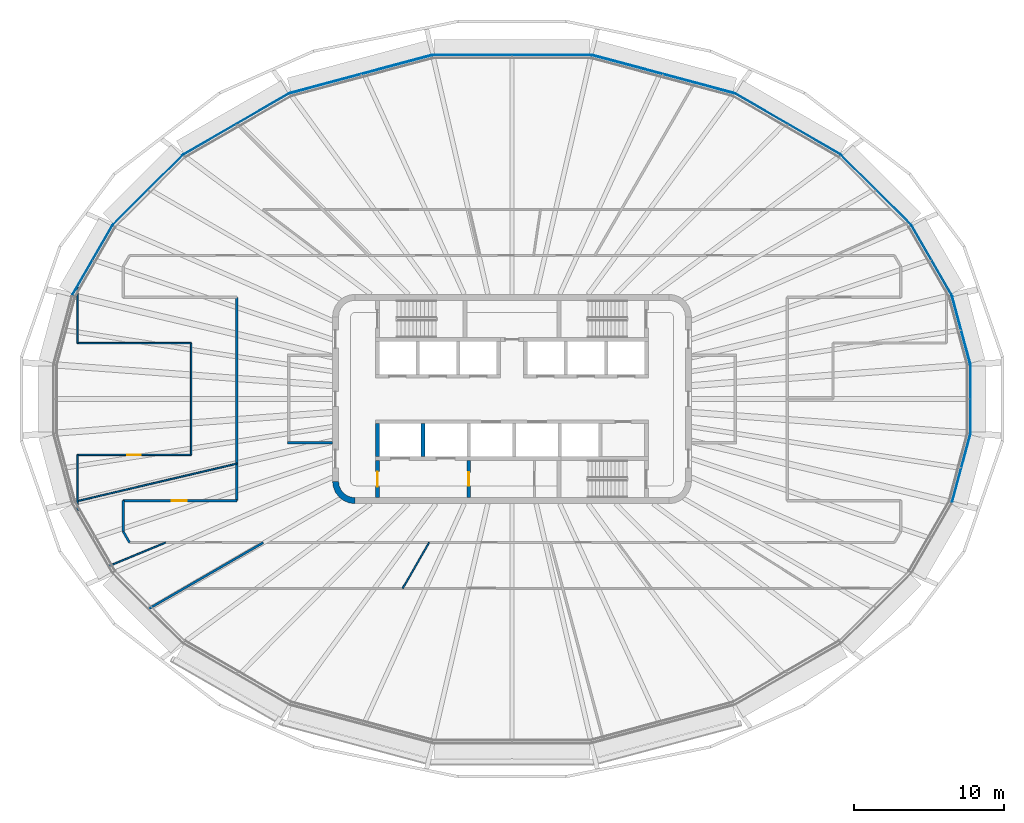
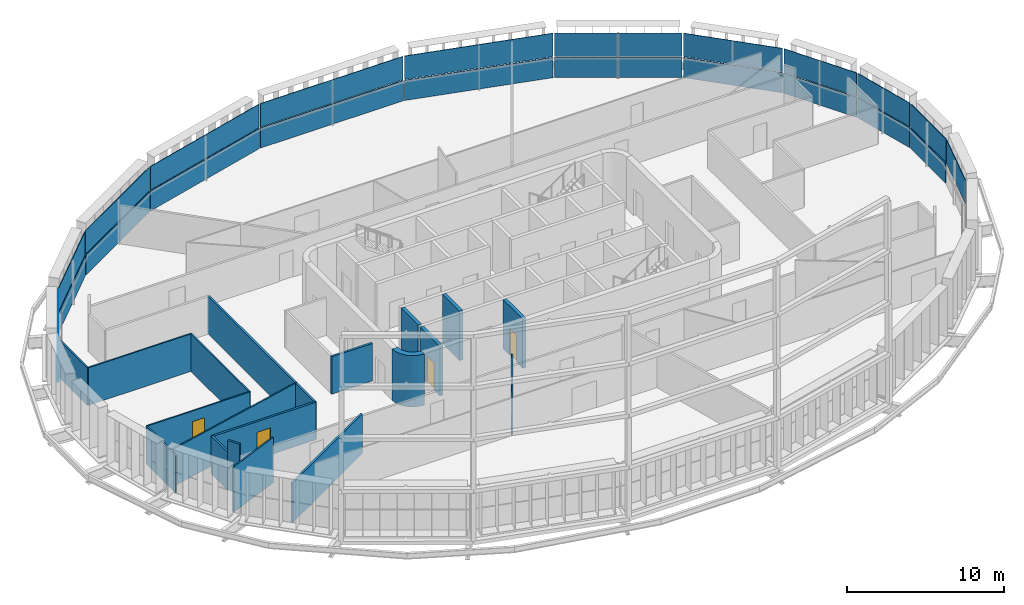
# One storey, part 10 of 20: 23 plates, 19 walls, 4 doors, 4 openings, 12 elements without a shape of their own.
"""IFC4 building model written with IfcOpenShell, lengths in metres."""

from ifc_helpers import new_model, si_unit, direction, frame, frame_2d, origin, place, context, subcontext, project, spatial, polyline, rectangle, outline, extrude, material, layer, layer_set, type_object, element, fill, aggregate, save


model = new_model("IFC4")

# Units and contexts
model_context = context("Model", 3, precision=1e-05, world=origin(), true_north=direction((0.0, 1.0)))
body_context = subcontext(model_context, "Body", "Model", "MODEL_VIEW")
ifc_project = project(units=[si_unit("LENGTHUNIT", "METRE"), si_unit("AREAUNIT", "SQUARE_METRE"), si_unit("VOLUMEUNIT", "CUBIC_METRE"), si_unit("PLANEANGLEUNIT", "RADIAN"), si_unit("MASSUNIT", "GRAM", prefix="KILO")], contexts=[model_context])

# Site, building, storey
site_placement = place(None, origin())
site = spatial("IfcSite", under=ifc_project, at=site_placement, CompositionType="ELEMENT")
building_placement = place(site_placement, origin())
building = spatial("IfcBuilding", under=site, at=building_placement, Name="Sahrelin Media Tower", CompositionType="ELEMENT")
storey_placement = place(building_placement, frame((0.0, 0.0, 209.60009765625)))
storey = spatial("IfcBuildingStorey", under=building, at=storey_placement, Name="L44", CompositionType="ELEMENT", Elevation=209.60009765625)

# Curtain wall, plate
ifc_material_1 = material(Name="Champagne anodised aluminium 6063-T6", Category="aluminium")
ifc_layer_1 = layer(ifc_material_1, 0.14990234375)
ifc_layer_set_1 = layer_set([ifc_layer_1], Name="Tower ribbon curtain wall")
curtain_wall_type = type_object("IfcCurtainWallType", Name="Tower ribbon curtain wall", PredefinedType="NOTDEFINED", material=ifc_layer_set_1)
curtain_wall_1_placement = place(storey_placement, frame((30.665283203125, 0.0, 0.0), z_axis=(0.0, 0.0, 1.0), x_axis=(1.0, 0.0, 0.0)))
curtain_wall_1 = element("IfcCurtainWall", 1, at=curtain_wall_1_placement, inside=storey, type_object=curtain_wall_type, Name="L44:CW:L44-00", PredefinedType="NOTDEFINED")
ifc_material_2 = material(Name="Clear low-iron glazing", Category="glass")
ifc_layer_2 = layer(ifc_material_2, 0.0439453125)
ifc_layer_set_2 = layer_set([ifc_layer_2], Name="Glazing panel 44 mm CW1B")
plate_type_1 = type_object("IfcPlateType", Name="Glazing panel 44 mm CW1B", PredefinedType="CURTAIN_PANEL", material=ifc_layer_set_2)
plate_1_placement = place(storey_placement, frame((30.685302734375, -2.241455078125, 1.6298828125), z_axis=(1.0, 0.0, 0.0), x_axis=(0.0, 1.0, 0.0)))
plate_1 = element("IfcPlate", 2, at=plate_1_placement, type_object=plate_type_1, Name="L44:CWP2:L44-00", PredefinedType="CURTAIN_PANEL", context=body_context, shape_type="SweptSolid", body=[
    extrude(outline(polyline([(0.0, 0.0), (4.48291015625, 0.0), (4.48291015625, 1.818603515625), (0.0, 1.818603515625), (0.0, 0.0)])), origin(), (0.0, 0.0, -1.0), 0.0439453125),
])

curtain_wall_2_placement = place(storey_placement, frame((30.045166015625, 4.606201171875, 0.0), z_axis=(0.0, 0.0, 1.0), x_axis=(1.0, 0.0, 0.0)))
curtain_wall_2 = element("IfcCurtainWall", 3, at=curtain_wall_2_placement, inside=storey, type_object=curtain_wall_type, Name="L44:CW:L44-01", PredefinedType="NOTDEFINED")
plate_2_placement = place(storey_placement, frame((30.671630859375, 2.344970703125, 1.6298828125), z_axis=(0.965935511849, 0.258782895397, 0.0), x_axis=(-0.258782895397, 0.965935511849, 0.0)))
plate_2 = element("IfcPlate", 4, at=plate_2_placement, type_object=plate_type_1, Name="L44:CWP2:L44-01", PredefinedType="CURTAIN_PANEL", context=body_context, shape_type="SweptSolid", body=[
    extrude(outline(polyline([(0.0, 0.0), (4.692626953125, 0.0), (4.692626953125, 1.818603515625), (0.0, 1.818603515625), (0.0, 0.0)])), origin(), (0.0, 0.0, -1.0), 0.0439453125),
])

curtain_wall_3_placement = place(storey_placement, frame((28.0615234375, 9.281982421875, 0.0), z_axis=(0.0, 0.0, 1.0), x_axis=(1.0, 0.0, 0.0)))
curtain_wall_3 = element("IfcCurtainWall", 5, at=curtain_wall_3_placement, inside=storey, type_object=curtain_wall_type, Name="L44:CW:L44-02", PredefinedType="NOTDEFINED")
plate_3_placement = place(storey_placement, frame((29.417236328125, 6.97412109375, 1.6298828125), z_axis=(0.866011664043, 0.500023797175, 0.0), x_axis=(-0.500023797175, 0.866011664043, 0.0)))
plate_3 = element("IfcPlate", 6, at=plate_3_placement, type_object=plate_type_1, Name="L44:CWP2:L44-02", PredefinedType="CURTAIN_PANEL", context=body_context, shape_type="SweptSolid", body=[
    extrude(outline(polyline([(0.0, 0.0), (5.353271484375, 0.0), (5.353271484375, 1.818603515625), (0.0, 1.818603515625), (0.0, 0.0)])), origin(), (0.0, 0.0, -1.0), 0.0439453125),
])

curtain_wall_4_placement = place(storey_placement, frame((24.356201171875, 13.985595703125, 0.0), z_axis=(0.0, 0.0, 1.0), x_axis=(1.0, 0.0, 0.0)))
curtain_wall_4 = element("IfcCurtainWall", 7, at=curtain_wall_4_placement, inside=storey, type_object=curtain_wall_type, Name="L44:CW:L44-03", PredefinedType="NOTDEFINED")
plate_4_placement = place(storey_placement, frame((26.677001953125, 11.69287109375, 1.6298828125), z_axis=(0.707125489942, 0.707088071936, 0.0), x_axis=(-0.707088071936, 0.707125489942, 0.0)))
plate_4 = element("IfcPlate", 8, at=plate_4_placement, type_object=plate_type_1, Name="L44:CWP2:L44-03", PredefinedType="CURTAIN_PANEL", context=body_context, shape_type="SweptSolid", body=[
    extrude(outline(polyline([(0.0, 0.0), (6.524658203125, 0.0), (6.524658203125, 1.818603515625), (0.0, 1.818603515625), (0.0, 0.0)])), origin(), (0.0, 0.0, -1.0), 0.0439453125),
])

curtain_wall_5_placement = place(storey_placement, frame((18.439208984375, 18.3916015625, 0.0), z_axis=(0.0, 0.0, 1.0), x_axis=(1.0, 0.0, 0.0)))
curtain_wall_5 = element("IfcCurtainWall", 9, at=curtain_wall_5_placement, inside=storey, type_object=curtain_wall_type, Name="L44:CW:L44-04", PredefinedType="NOTDEFINED")
plate_5_placement = place(storey_placement, frame((21.980712890625, 16.3701171875, 1.6298828125), z_axis=(0.500005763519, 0.86602207619, 0.0), x_axis=(-0.86602207619, 0.500005763519, 0.0)))
plate_5 = element("IfcPlate", 10, at=plate_5_placement, type_object=plate_type_1, Name="L44:CWP2:L44-04", PredefinedType="CURTAIN_PANEL", context=body_context, shape_type="SweptSolid", body=[
    extrude(outline(polyline([(0.0, 0.0), (8.15576171875, 0.0), (8.15576171875, 1.818603515625), (0.0, 1.818603515625), (0.0, 0.0)])), origin(), (0.0, 0.0, -1.0), 0.0439453125),
])

curtain_wall_6_placement = place(storey_placement, frame((10.087158203125, 21.735595703125, 0.0), z_axis=(0.0, 0.0, 1.0), x_axis=(1.0, 0.0, 0.0)))
curtain_wall_6 = element("IfcCurtainWall", 11, at=curtain_wall_6_placement, inside=storey, type_object=curtain_wall_type, Name="L44:CW:L44-05", PredefinedType="NOTDEFINED")
plate_6_placement = place(storey_placement, frame((14.8212890625, 20.48779296875, 1.6298828125), z_axis=(0.258834126275, 0.965921785175, 0.0), x_axis=(-0.965921785175, 0.258834126275, 0.0)))
plate_6 = element("IfcPlate", 12, at=plate_6_placement, type_object=plate_type_1, Name="L44:CWP2:L44-05", PredefinedType="CURTAIN_PANEL", context=body_context, shape_type="SweptSolid", body=[
    extrude(outline(polyline([(0.0, 0.0), (9.791748046875, 0.0), (9.791748046875, 1.818603515625), (0.0, 1.818603515625), (0.0, 0.0)])), origin(), (0.0, 0.0, -1.0), 0.0439453125),
])

curtain_wall_7_placement = place(storey_placement, frame((0.0, 23.015625, 0.0), z_axis=(0.0, 0.0, 1.0), x_axis=(1.0, 0.0, 0.0)))
curtain_wall_7 = element("IfcCurtainWall", 13, at=curtain_wall_7_placement, inside=storey, type_object=curtain_wall_type, Name="L44:CW:L44-06", PredefinedType="NOTDEFINED")
plate_7_placement = place(storey_placement, frame((5.259765625, 23.03564453125, 1.6298828125), z_axis=(0.0, 1.0, 0.0), x_axis=(-1.0, 0.0, 0.0)))
plate_7 = element("IfcPlate", 14, at=plate_7_placement, type_object=plate_type_1, Name="L44:CWP2:L44-06", PredefinedType="CURTAIN_PANEL", context=body_context, shape_type="SweptSolid", body=[
    extrude(outline(polyline([(0.0, 0.0), (10.51953125, 0.0), (10.51953125, 1.818603515625), (0.0, 1.818603515625), (0.0, 0.0)])), origin(), (0.0, 0.0, -1.0), 0.0439453125),
])

curtain_wall_8_placement = place(storey_placement, frame((-10.0869140625, 21.735595703125, 0.0), z_axis=(0.0, 0.0, 1.0), x_axis=(1.0, 0.0, 0.0)))
curtain_wall_8 = element("IfcCurtainWall", 15, at=curtain_wall_8_placement, inside=storey, type_object=curtain_wall_type, Name="L44:CW:L44-07", PredefinedType="NOTDEFINED")
plate_8_placement = place(storey_placement, frame((-5.36328125, 23.022216796875, 1.6298828125), z_axis=(-0.258834126275, 0.965921785175, 0.0), x_axis=(-0.965921785175, -0.258834126275, 0.0)))
plate_8 = element("IfcPlate", 16, at=plate_8_placement, type_object=plate_type_1, Name="L44:CWP2:L44-07", PredefinedType="CURTAIN_PANEL", context=body_context, shape_type="SweptSolid", body=[
    extrude(outline(polyline([(0.0, 0.0), (9.791748046875, 0.0), (9.791748046875, 1.818603515625), (0.0, 1.818603515625), (0.0, 0.0)])), origin(), (0.0, 0.0, -1.0), 0.0439453125),
])

curtain_wall_9_placement = place(storey_placement, frame((-18.439208984375, 18.3916015625, 0.0), z_axis=(0.0, 0.0, 1.0), x_axis=(1.0, 0.0, 0.0)))
curtain_wall_9 = element("IfcCurtainWall", 17, at=curtain_wall_9_placement, inside=storey, type_object=curtain_wall_type, Name="L44:CW:L44-08", PredefinedType="NOTDEFINED")
plate_9_placement = place(storey_placement, frame((-14.917724609375, 20.447998046875, 1.6298828125), z_axis=(-0.500005763519, 0.86602207619, 0.0), x_axis=(-0.86602207619, -0.500005763519, 0.0)))
plate_9 = element("IfcPlate", 18, at=plate_9_placement, type_object=plate_type_1, Name="L44:CWP2:L44-08", PredefinedType="CURTAIN_PANEL", context=body_context, shape_type="SweptSolid", body=[
    extrude(outline(polyline([(0.0, 0.0), (8.15576171875, 0.0), (8.15576171875, 1.818603515625), (0.0, 1.818603515625), (0.0, 0.0)])), origin(), (0.0, 0.0, -1.0), 0.0439453125),
])

curtain_wall_10_placement = place(storey_placement, frame((-24.356201171875, 13.985595703125, 0.0), z_axis=(0.0, 0.0, 1.0), x_axis=(1.0, 0.0, 0.0)))
curtain_wall_10 = element("IfcCurtainWall", 19, at=curtain_wall_10_placement, inside=storey, type_object=curtain_wall_type, Name="L44:CW:L44-09", PredefinedType="NOTDEFINED")
plate_10_placement = place(storey_placement, frame((-22.0634765625, 16.306640625, 1.6298828125), z_axis=(-0.707125489942, 0.707088071936, 0.0), x_axis=(-0.707088071936, -0.707125489942, 0.0)))
plate_10 = element("IfcPlate", 20, at=plate_10_placement, type_object=plate_type_1, Name="L44:CWP2:L44-09", PredefinedType="CURTAIN_PANEL", context=body_context, shape_type="SweptSolid", body=[
    extrude(outline(polyline([(0.0, 0.0), (6.524658203125, 0.0), (6.524658203125, 1.818603515625), (0.0, 1.818603515625), (0.0, 0.0)])), origin(), (0.0, 0.0, -1.0), 0.0439453125),
])

curtain_wall_11_placement = place(storey_placement, frame((-28.0615234375, 9.281982421875, 0.0), z_axis=(0.0, 0.0, 1.0), x_axis=(1.0, 0.0, 0.0)))
curtain_wall_11 = element("IfcCurtainWall", 21, at=curtain_wall_11_placement, inside=storey, type_object=curtain_wall_type, Name="L44:CW:L44-10", PredefinedType="NOTDEFINED")
plate_11_placement = place(storey_placement, frame((-26.740478515625, 11.610107421875, 1.6298828125), z_axis=(-0.866011664043, 0.500023797175, 0.0), x_axis=(-0.500023797175, -0.866011664043, 0.0)))
plate_11 = element("IfcPlate", 22, at=plate_11_placement, type_object=plate_type_1, Name="L44:CWP2:L44-10", PredefinedType="CURTAIN_PANEL", context=body_context, shape_type="SweptSolid", body=[
    extrude(outline(polyline([(0.0, 0.0), (5.353271484375, 0.0), (5.353271484375, 1.818603515625), (0.0, 1.818603515625), (0.0, 0.0)])), origin(), (0.0, 0.0, -1.0), 0.0439453125),
])

curtain_wall_12_placement = place(storey_placement, frame((30.045166015625, -4.606201171875, 0.0), z_axis=(0.0, 0.0, 1.0), x_axis=(1.0, 0.0, 0.0)))
curtain_wall_12 = element("IfcCurtainWall", 23, at=curtain_wall_12_placement, inside=storey, type_object=curtain_wall_type, Name="L44:CW:L44-23", PredefinedType="NOTDEFINED")
plate_12_placement = place(storey_placement, frame((29.457275390625, -6.877685546875, 1.6298828125), z_axis=(0.965935511849, -0.258782895397, 0.0), x_axis=(0.258782895397, 0.965935511849, 0.0)))
plate_12 = element("IfcPlate", 24, at=plate_12_placement, type_object=plate_type_1, Name="L44:CWP2:L44-23", PredefinedType="CURTAIN_PANEL", context=body_context, shape_type="SweptSolid", body=[
    extrude(outline(polyline([(0.0, 0.0), (4.692626953125, 0.0), (4.692626953125, 1.818603515625), (0.0, 1.818603515625), (0.0, 0.0)])), origin(), (0.0, 0.0, -1.0), 0.0439453125),
])
aggregate(curtain_wall_12, [plate_12])

# Plate
ifc_material_3 = material(Name="Insulated spandrel panel")
ifc_layer_3 = layer(ifc_material_3, 0.06005859375)
ifc_layer_set_3 = layer_set([ifc_layer_3], Name="Spandrel panel 60 mm CW1")
plate_type_2 = type_object("IfcPlateType", Name="Spandrel panel 60 mm CW1", PredefinedType="SHEET", material=ifc_layer_set_3)
plate_13_placement = place(storey_placement, frame((30.685302734375, -2.241455078125, 0.0), z_axis=(1.0, 0.0, 0.0), x_axis=(0.0, 1.0, 0.0)))
plate_13 = element("IfcPlate", 25, at=plate_13_placement, type_object=plate_type_2, Name="L44:CWP1:L44-00", PredefinedType="SHEET", context=body_context, shape_type="SweptSolid", body=[
    extrude(outline(polyline([(0.0, 0.0), (4.48291015625, 0.0), (4.48291015625, 1.56982421875), (0.0, 1.56982421875), (0.0, 0.0)])), origin(), (0.0, 0.0, -1.0), 0.06005859375),
])

aggregate(curtain_wall_1, [plate_13, plate_1])

plate_14_placement = place(storey_placement, frame((30.671630859375, 2.344970703125, 0.0), z_axis=(0.965935511849, 0.258782895397, 0.0), x_axis=(-0.258782895397, 0.965935511849, 0.0)))
plate_14 = element("IfcPlate", 26, at=plate_14_placement, type_object=plate_type_2, Name="L44:CWP1:L44-01", PredefinedType="SHEET", context=body_context, shape_type="SweptSolid", body=[
    extrude(outline(polyline([(0.0, 0.0), (4.692626953125, 0.0), (4.692626953125, 1.56982421875), (0.0, 1.56982421875), (0.0, 0.0)])), origin(), (0.0, 0.0, -1.0), 0.06005859375),
])

aggregate(curtain_wall_2, [plate_14, plate_2])

plate_15_placement = place(storey_placement, frame((29.417236328125, 6.97412109375, 0.0), z_axis=(0.866011664043, 0.500023797175, 0.0), x_axis=(-0.500023797175, 0.866011664043, 0.0)))
plate_15 = element("IfcPlate", 27, at=plate_15_placement, type_object=plate_type_2, Name="L44:CWP1:L44-02", PredefinedType="SHEET", context=body_context, shape_type="SweptSolid", body=[
    extrude(outline(polyline([(0.0, 0.0), (5.353271484375, 0.0), (5.353271484375, 1.56982421875), (0.0, 1.56982421875), (0.0, 0.0)])), origin(), (0.0, 0.0, -1.0), 0.06005859375),
])

aggregate(curtain_wall_3, [plate_15, plate_3])

plate_16_placement = place(storey_placement, frame((26.677001953125, 11.69287109375, 0.0), z_axis=(0.707125489942, 0.707088071936, 0.0), x_axis=(-0.707088071936, 0.707125489942, 0.0)))
plate_16 = element("IfcPlate", 28, at=plate_16_placement, type_object=plate_type_2, Name="L44:CWP1:L44-03", PredefinedType="SHEET", context=body_context, shape_type="SweptSolid", body=[
    extrude(outline(polyline([(0.0, 0.0), (6.524658203125, 0.0), (6.524658203125, 1.56982421875), (0.0, 1.56982421875), (0.0, 0.0)])), origin(), (0.0, 0.0, -1.0), 0.06005859375),
])

aggregate(curtain_wall_4, [plate_16, plate_4])

plate_17_placement = place(storey_placement, frame((21.980712890625, 16.3701171875, 0.0), z_axis=(0.500005763519, 0.86602207619, 0.0), x_axis=(-0.86602207619, 0.500005763519, 0.0)))
plate_17 = element("IfcPlate", 29, at=plate_17_placement, type_object=plate_type_2, Name="L44:CWP1:L44-04", PredefinedType="SHEET", context=body_context, shape_type="SweptSolid", body=[
    extrude(outline(polyline([(0.0, 0.0), (8.15576171875, 0.0), (8.15576171875, 1.56982421875), (0.0, 1.56982421875), (0.0, 0.0)])), origin(), (0.0, 0.0, -1.0), 0.06005859375),
])

aggregate(curtain_wall_5, [plate_17, plate_5])

plate_18_placement = place(storey_placement, frame((14.8212890625, 20.48779296875, 0.0), z_axis=(0.258834126275, 0.965921785175, 0.0), x_axis=(-0.965921785175, 0.258834126275, 0.0)))
plate_18 = element("IfcPlate", 30, at=plate_18_placement, type_object=plate_type_2, Name="L44:CWP1:L44-05", PredefinedType="SHEET", context=body_context, shape_type="SweptSolid", body=[
    extrude(outline(polyline([(0.0, 0.0), (9.791748046875, 0.0), (9.791748046875, 1.56982421875), (0.0, 1.56982421875), (0.0, 0.0)])), origin(), (0.0, 0.0, -1.0), 0.06005859375),
])

aggregate(curtain_wall_6, [plate_18, plate_6])

plate_19_placement = place(storey_placement, frame((5.259765625, 23.03564453125, 0.0), z_axis=(0.0, 1.0, 0.0), x_axis=(-1.0, 0.0, 0.0)))
plate_19 = element("IfcPlate", 31, at=plate_19_placement, type_object=plate_type_2, Name="L44:CWP1:L44-06", PredefinedType="SHEET", context=body_context, shape_type="SweptSolid", body=[
    extrude(outline(polyline([(0.0, 0.0), (10.51953125, 0.0), (10.51953125, 1.56982421875), (0.0, 1.56982421875), (0.0, 0.0)])), origin(), (0.0, 0.0, -1.0), 0.06005859375),
])

aggregate(curtain_wall_7, [plate_19, plate_7])

plate_20_placement = place(storey_placement, frame((-5.36328125, 23.022216796875, 0.0), z_axis=(-0.258834126275, 0.965921785175, 0.0), x_axis=(-0.965921785175, -0.258834126275, 0.0)))
plate_20 = element("IfcPlate", 32, at=plate_20_placement, type_object=plate_type_2, Name="L44:CWP1:L44-07", PredefinedType="SHEET", context=body_context, shape_type="SweptSolid", body=[
    extrude(outline(polyline([(0.0, 0.0), (9.791748046875, 0.0), (9.791748046875, 1.56982421875), (0.0, 1.56982421875), (0.0, 0.0)])), origin(), (0.0, 0.0, -1.0), 0.06005859375),
])

aggregate(curtain_wall_8, [plate_20, plate_8])

plate_21_placement = place(storey_placement, frame((-14.917724609375, 20.447998046875, 0.0), z_axis=(-0.500005763519, 0.86602207619, 0.0), x_axis=(-0.86602207619, -0.500005763519, 0.0)))
plate_21 = element("IfcPlate", 33, at=plate_21_placement, type_object=plate_type_2, Name="L44:CWP1:L44-08", PredefinedType="SHEET", context=body_context, shape_type="SweptSolid", body=[
    extrude(outline(polyline([(0.0, 0.0), (8.15576171875, 0.0), (8.15576171875, 1.56982421875), (0.0, 1.56982421875), (0.0, 0.0)])), origin(), (0.0, 0.0, -1.0), 0.06005859375),
])

aggregate(curtain_wall_9, [plate_21, plate_9])

plate_22_placement = place(storey_placement, frame((-22.0634765625, 16.306640625, 0.0), z_axis=(-0.707125489942, 0.707088071936, 0.0), x_axis=(-0.707088071936, -0.707125489942, 0.0)))
plate_22 = element("IfcPlate", 34, at=plate_22_placement, type_object=plate_type_2, Name="L44:CWP1:L44-09", PredefinedType="SHEET", context=body_context, shape_type="SweptSolid", body=[
    extrude(outline(polyline([(0.0, 0.0), (6.524658203125, 0.0), (6.524658203125, 1.56982421875), (0.0, 1.56982421875), (0.0, 0.0)])), origin(), (0.0, 0.0, -1.0), 0.06005859375),
])

aggregate(curtain_wall_10, [plate_22, plate_10])

plate_23_placement = place(storey_placement, frame((-26.740478515625, 11.610107421875, 0.0), z_axis=(-0.866011664043, 0.500023797175, 0.0), x_axis=(-0.500023797175, -0.866011664043, 0.0)))
plate_23 = element("IfcPlate", 35, at=plate_23_placement, type_object=plate_type_2, Name="L44:CWP1:L44-10", PredefinedType="SHEET", context=body_context, shape_type="SweptSolid", body=[
    extrude(outline(polyline([(0.0, 0.0), (5.353271484375, 0.0), (5.353271484375, 1.56982421875), (0.0, 1.56982421875), (0.0, 0.0)])), origin(), (0.0, 0.0, -1.0), 0.06005859375),
])

aggregate(curtain_wall_11, [plate_23, plate_11])

# Walls
ifc_material_4 = material(Name="Concrete C60/75", Category="concrete")
ifc_layer_4 = layer(ifc_material_4, 0.39990234375)
ifc_layer_set_4 = layer_set([ifc_layer_4], Name="Core wall 400")
wall_type_1 = type_object("IfcWallType", Name="Core wall 400", PredefinedType="SHEAR", material=ifc_layer_set_4)
wall_1_placement = place(storey_placement, origin())
element("IfcWall", 36, at=wall_1_placement, inside=storey, type_object=wall_type_1, Name="Core wall corner SW L44", PredefinedType="SHEAR", context=body_context, shape_type="SweptSolid", body=[
    extrude(outline(polyline([(-10.5, -7.0), (-10.5, -6.596435546875), (-10.78369140625, -6.55908203125), (-11.04833984375, -6.44970703125), (-11.275390625, -6.275390625), (-11.44970703125, -6.04833984375), (-11.55908203125, -5.78369140625), (-11.596435546875, -5.5), (-12.0, -5.5), (-11.948974609375, -5.88818359375), (-11.799072265625, -6.25), (-11.560791015625, -6.560791015625), (-11.25, -6.799072265625), (-10.88818359375, -6.948974609375), (-10.5, -7.0)])), origin(), (0.0, 0.0, 1.0), 4.0),
])
ifc_material_5 = material(Name="Fire-rated gypsum board partition")
ifc_layer_5 = layer(ifc_material_5, 0.14990234375)
ifc_layer_set_5 = layer_set([ifc_layer_5], Name="Fire-rated partition 150")
wall_type_2 = type_object("IfcWallType", Name="Fire-rated partition 150", PredefinedType="PARTITIONING", material=ifc_layer_set_5)
wall_2_placement = place(storey_placement, frame((-15.0, -2.925048828125, 0.0), z_axis=(0.0, 0.0, 1.0), x_axis=(1.0, 0.0, 0.0)))
element("IfcWall", 37, at=wall_2_placement, inside=storey, type_object=wall_type_2, Name="Core room fire partition", PredefinedType="PARTITIONING", context=body_context, shape_type="SweptSolid", body=[
    extrude(rectangle(XDim=3.0, YDim=0.14990234375, at=frame_2d((1.5, 0.0))), origin(), (0.0, 0.0, 1.0), 2.918212890625),
])
wall_3_placement = place(storey_placement, frame((-26.0, -8.85302734375, 0.0), z_axis=(0.0, 0.0, 1.0), x_axis=(0.499640762619, -0.866232710263, 0.0)))
element("IfcWall", 38, at=wall_3_placement, inside=storey, type_object=wall_type_2, Name="Wall", PredefinedType="PARTITIONING", context=body_context, shape_type="SweptSolid", body=[
    extrude(rectangle(XDim=0.862548828125, YDim=0.14990234375, at=frame_2d((0.43115234375, 0.0))), origin(), (0.0, 0.0, 1.0), 3.849853515625),
])

# Wall, opening, door
wall_4_placement = place(storey_placement, frame((-26.0, -6.800048828125, 0.0), z_axis=(0.0, 0.0, 1.0), x_axis=(1.0, 0.0, 0.0)))
wall_4 = element("IfcWall", 39, at=wall_4_placement, inside=storey, type_object=wall_type_2, Name="Wall", PredefinedType="PARTITIONING", context=body_context, shape_type="SweptSolid", body=[
    extrude(rectangle(XDim=7.60009765625, YDim=0.14990234375, at=frame_2d((3.800048828125, 0.0))), origin(), (0.0, 0.0, 1.0), 2.927001953125),
])
opening_1_placement = place(wall_4_placement, frame((3.2490234375, 0.0, 0.0)))
opening_1 = element("IfcOpeningElement", 40, at=opening_1_placement, cuts=wall_4, Name="Opening L44-D21", PredefinedType="OPENING", context=body_context, shape_type="SweptSolid", body=[
    extrude(rectangle(XDim=1.0, YDim=2.10009765625, at=frame_2d((0.5, 1.050048828125))), frame((0.0, 0.074951171875, 0.0), z_axis=(0.0, -1.0, 0.0), x_axis=(1.0, 0.0, 0.0)), (0.0, 0.0, 1.0), 0.14990234375),
])
ifc_material_6 = material(Name="Steel fire door leaf", Category="steel")
door_type_1 = type_object("IfcDoorType", Name="Fire door 1000 x 2100 EI 60", OperationType="NOTDEFINED", PredefinedType="DOOR", material=ifc_material_6)
door_1_placement = place(opening_1_placement, origin())
door_1 = element("IfcDoor", 41, at=door_1_placement, inside=storey, type_object=door_type_1, Name="Fire door", OperationType="SINGLE_SWING_LEFT", OverallHeight=2.10009765625, OverallWidth=1.0, PredefinedType="DOOR", context=body_context, shape_type="SweptSolid", body=[
    extrude(rectangle(XDim=1.0, YDim=2.10009765625, at=frame_2d((0.5, 1.050048828125))), frame((0.0, 0.02490234375, 0.0), z_axis=(0.0, -1.0, 0.0), x_axis=(1.0, 0.0, 0.0)), (0.0, 0.0, 1.0), 0.050048828125),
])
fill(opening_1, door_1)

# Walls
wall_5_placement = place(storey_placement, frame((-24.30810546875, -14.033935546875, 0.0), z_axis=(0.0, 0.0, 1.0), x_axis=(0.866040718929, 0.499973472454, 0.0)))
element("IfcWall", 42, at=wall_5_placement, inside=storey, type_object=wall_type_2, Name="Wall", PredefinedType="PARTITIONING", context=body_context, shape_type="SweptSolid", body=[
    extrude(rectangle(XDim=8.8681640625, YDim=0.14990234375, at=frame_2d((4.43408203125, 0.0))), origin(), (0.0, 0.0, 1.0), 3.075927734375),
])
wall_6_placement = place(storey_placement, frame((-18.39990234375, -6.800048828125, 0.0), z_axis=(0.0, 0.0, 1.0), x_axis=(0.0, 1.0, 0.0)))
element("IfcWall", 43, at=wall_6_placement, inside=storey, type_object=wall_type_2, Name="Wall", PredefinedType="PARTITIONING", context=body_context, shape_type="SweptSolid", body=[
    extrude(rectangle(XDim=13.60009765625, YDim=0.14990234375, at=frame_2d((6.800048828125, 0.0))), origin(), (0.0, 0.0, 1.0), 2.918212890625),
])
wall_7_placement = place(storey_placement, frame((-26.0, -8.85302734375, 0.0), z_axis=(0.0, 0.0, 1.0), x_axis=(0.0, 1.0, 0.0)))
element("IfcWall", 44, at=wall_7_placement, inside=storey, type_object=wall_type_2, Name="Wall", PredefinedType="PARTITIONING", context=body_context, shape_type="SweptSolid", body=[
    extrude(rectangle(XDim=2.052978515625, YDim=0.14990234375, at=frame_2d((1.0263671875, 0.0))), origin(), (0.0, 0.0, 1.0), 2.927001953125),
])

# Wall, opening, door
ifc_layer_6 = layer(ifc_material_5, 0.25)
ifc_layer_set_6 = layer_set([ifc_layer_6], Name="Firefighting lobby wall 250")
wall_type_3 = type_object("IfcWallType", Name="Firefighting lobby wall 250", PredefinedType="PARTITIONING", material=ifc_layer_set_6)
wall_8_placement = place(storey_placement, frame((-9.0, -6.60009765625, 0.0), z_axis=(0.0, 0.0, 1.0), x_axis=(0.0, 1.0, 0.0)))
wall_8 = element("IfcWall", 45, at=wall_8_placement, inside=storey, type_object=wall_type_3, Name="Core wall", PredefinedType="PARTITIONING", context=body_context, shape_type="SweptSolid", body=[
    extrude(rectangle(XDim=2.5, YDim=0.25, at=frame_2d((1.25, 0.0))), origin(), (0.0, 0.0, 1.0), 3.849853515625),
])
opening_2_placement = place(wall_8_placement, frame((0.75, 0.0, 0.0)))
opening_2 = element("IfcOpeningElement", 46, at=opening_2_placement, cuts=wall_8, Name="Opening L44-D04", PredefinedType="OPENING", context=body_context, shape_type="SweptSolid", body=[
    extrude(rectangle(XDim=1.0, YDim=2.10009765625, at=frame_2d((0.5, 1.050048828125))), frame((0.0, 0.125, 0.0), z_axis=(0.0, -1.0, 0.0), x_axis=(1.0, 0.0, 0.0)), (0.0, 0.0, 1.0), 0.25),
])
door_type_2 = type_object("IfcDoorType", Name="Firefighting lobby door 1000 x 2100 EI 120", OperationType="NOTDEFINED", PredefinedType="DOOR", material=ifc_material_6)
door_2_placement = place(opening_2_placement, origin())
door_2 = element("IfcDoor", 47, at=door_2_placement, inside=storey, type_object=door_type_2, Name="Firefighting lobby door", OperationType="SINGLE_SWING_LEFT", OverallHeight=2.10009765625, OverallWidth=1.0, PredefinedType="DOOR", context=body_context, shape_type="SweptSolid", body=[
    extrude(rectangle(XDim=1.0, YDim=2.10009765625, at=frame_2d((0.5, 1.050048828125))), frame((0.0, 0.02490234375, 0.0), z_axis=(0.0, -1.0, 0.0), x_axis=(1.0, 0.0, 0.0)), (0.0, 0.0, 1.0), 0.050048828125),
])
fill(opening_2, door_2)

wall_9_placement = place(storey_placement, frame((-2.89990234375, -6.60009765625, 0.0), z_axis=(0.0, 0.0, 1.0), x_axis=(0.0, 1.0, 0.0)))
wall_9 = element("IfcWall", 48, at=wall_9_placement, inside=storey, type_object=wall_type_3, Name="Core wall", PredefinedType="PARTITIONING", context=body_context, shape_type="SweptSolid", body=[
    extrude(rectangle(XDim=2.5, YDim=0.25, at=frame_2d((1.25, 0.0))), origin(), (0.0, 0.0, 1.0), 3.849853515625),
])
opening_3_placement = place(wall_9_placement, frame((0.800048828125, 0.0, 0.0)))
opening_3 = element("IfcOpeningElement", 49, at=opening_3_placement, cuts=wall_9, Name="Opening L44-D05", PredefinedType="OPENING", context=body_context, shape_type="SweptSolid", body=[
    extrude(rectangle(XDim=0.89990234375, YDim=2.10009765625, at=frame_2d((0.449951171875, 1.050048828125))), frame((0.0, 0.125, 0.0), z_axis=(0.0, -1.0, 0.0), x_axis=(1.0, 0.0, 0.0)), (0.0, 0.0, 1.0), 0.25),
])
door_type_3 = type_object("IfcDoorType", Name="Firefighting lobby door 900 x 2100 EI 120", OperationType="NOTDEFINED", PredefinedType="DOOR", material=ifc_material_6)
door_3_placement = place(opening_3_placement, origin())
door_3 = element("IfcDoor", 50, at=door_3_placement, inside=storey, type_object=door_type_3, Name="Riser door", OperationType="SINGLE_SWING_RIGHT", OverallHeight=2.10009765625, OverallWidth=0.89990234375, PredefinedType="DOOR", context=body_context, shape_type="SweptSolid", body=[
    extrude(rectangle(XDim=0.89990234375, YDim=2.10009765625, at=frame_2d((0.449951171875, 1.050048828125))), frame((0.0, 0.02490234375, 0.0), z_axis=(0.0, -1.0, 0.0), x_axis=(1.0, 0.0, 0.0)), (0.0, 0.0, 1.0), 0.050048828125),
])
fill(opening_3, door_3)

# Walls
ifc_layer_7 = layer(ifc_material_4, 0.25)
ifc_layer_set_7 = layer_set([ifc_layer_7], Name="Lift shaft wall 250")
wall_type_4 = type_object("IfcWallType", Name="Lift shaft wall 250", PredefinedType="SOLIDWALL", material=ifc_layer_set_7)
for number, where, z_axis, x_axis, name in (
    (51, (-9.0, -3.85009765625, 0.0), (0.0, 0.0, 1.0), (0.0, 1.0, 0.0), "Lift shaft wall"),
    (52, (-5.949951171875, -3.85009765625, 0.0), (0.0, 0.0, 1.0), (0.0, 1.0, 0.0), "Lift shaft wall"),
):
    element("IfcWall", number, at=place(storey_placement, frame(where, z_axis=z_axis, x_axis=x_axis)), inside=storey, type_object=wall_type_4, Name=name, PredefinedType="SOLIDWALL", context=body_context, shape_type="SweptSolid", body=[
        extrude(rectangle(XDim=2.2001953125, YDim=0.25, at=frame_2d((1.10009765625, 0.0))), origin(), (0.0, 0.0, 1.0), 3.849853515625),
    ])

# Wall, opening, door
ifc_material_7 = material(Name="Gypsum board partition")
ifc_layer_8 = layer(ifc_material_7, 0.10009765625)
ifc_layer_set_8 = layer_set([ifc_layer_8], Name="Partition 100")
wall_type_5 = type_object("IfcWallType", Name="Partition 100", PredefinedType="PARTITIONING", material=ifc_layer_set_8)
wall_10_placement = place(storey_placement, frame((-29.06005859375, -3.739990234375, 0.0), z_axis=(0.0, 0.0, 1.0), x_axis=(1.0, 0.0, 0.0)))
wall_10 = element("IfcWall", 53, at=wall_10_placement, inside=storey, type_object=wall_type_5, Name="Wall", PredefinedType="PARTITIONING", context=body_context, shape_type="SweptSolid", body=[
    extrude(rectangle(XDim=7.60009765625, YDim=0.10009765625, at=frame_2d((3.800048828125, 0.0))), origin(), (0.0, 0.0, 1.0), 2.927001953125),
])
opening_4_placement = place(wall_10_placement, frame((3.35009765625, 0.0, 0.0)))
opening_4 = element("IfcOpeningElement", 54, at=opening_4_placement, cuts=wall_10, Name="Opening L44-D23", PredefinedType="OPENING", context=body_context, shape_type="SweptSolid", body=[
    extrude(rectangle(XDim=0.89990234375, YDim=2.10009765625, at=frame_2d((0.449951171875, 1.050048828125))), frame((0.0, 0.050048828125, 0.0), z_axis=(0.0, -1.0, 0.0), x_axis=(1.0, 0.0, 0.0)), (0.0, 0.0, 1.0), 0.10009765625),
])
ifc_material_8 = material(Name="Timber door leaf", Category="wood")
door_type_4 = type_object("IfcDoorType", Name="Single door 900 x 2100", OperationType="NOTDEFINED", PredefinedType="DOOR", material=ifc_material_8)
door_4_placement = place(opening_4_placement, origin())
door_4 = element("IfcDoor", 55, at=door_4_placement, inside=storey, type_object=door_type_4, Name="Single door", OperationType="SINGLE_SWING_LEFT", OverallHeight=2.10009765625, OverallWidth=0.89990234375, PredefinedType="DOOR", context=body_context, shape_type="SweptSolid", body=[
    extrude(rectangle(XDim=0.89990234375, YDim=2.10009765625, at=frame_2d((0.449951171875, 1.050048828125))), frame((0.0, 0.02490234375, 0.0), z_axis=(0.0, -1.0, 0.0), x_axis=(1.0, 0.0, 0.0)), (0.0, 0.0, 1.0), 0.050048828125),
])
fill(opening_4, door_4)

# Walls
wall_11_placement = place(storey_placement, frame((-29.06005859375, 3.739990234375, 0.0), z_axis=(0.0, 0.0, 1.0), x_axis=(1.0, 0.0, 0.0)))
element("IfcWall", 56, at=wall_11_placement, inside=storey, type_object=wall_type_5, Name="Wall", PredefinedType="PARTITIONING", context=body_context, shape_type="SweptSolid", body=[
    extrude(rectangle(XDim=7.60009765625, YDim=0.10009765625, at=frame_2d((3.800048828125, 0.0))), origin(), (0.0, 0.0, 1.0), 2.927001953125),
])
wall_12_placement = place(storey_placement, frame((-29.06005859375, -6.825927734375, 0.0), z_axis=(0.0, 0.0, 1.0), x_axis=(0.973505984195, 0.228661537511, 0.0)))
element("IfcWall", 57, at=wall_12_placement, inside=storey, type_object=wall_type_5, Name="Wall", PredefinedType="PARTITIONING", context=body_context, shape_type="SweptSolid", body=[
    extrude(rectangle(XDim=10.9501953125, YDim=0.10009765625, at=frame_2d((5.47509765625, 0.0))), origin(), (0.0, 0.0, 1.0), 2.918212890625),
])
wall_13_placement = place(storey_placement, frame((-26.967041015625, -11.177001953125, 0.0), z_axis=(0.0, 0.0, 1.0), x_axis=(0.923806551169, 0.382859577414, 0.0)))
element("IfcWall", 58, at=wall_13_placement, inside=storey, type_object=wall_type_5, Name="Wall", PredefinedType="PARTITIONING", context=body_context, shape_type="SweptSolid", body=[
    extrude(rectangle(XDim=4.11865234375, YDim=0.10009765625, at=frame_2d((2.059326171875, 0.0))), origin(), (0.0, 0.0, 1.0), 3.526611328125),
])
wall_14_placement = place(storey_placement, frame((-7.30908203125, -12.659912109375, 0.0), z_axis=(0.0, 0.0, 1.0), x_axis=(0.499899920428, 0.866083177042, 0.0)))
element("IfcWall", 59, at=wall_14_placement, inside=storey, type_object=wall_type_5, Name="Wall", PredefinedType="PARTITIONING", context=body_context, shape_type="SweptSolid", body=[
    extrude(rectangle(XDim=3.532958984375, YDim=0.10009765625, at=frame_2d((1.7666015625, 0.0))), origin(), (0.0, 0.0, 1.0), 3.849853515625),
])
wall_15_placement = place(storey_placement, frame((-21.4599609375, -3.739990234375, 0.0), z_axis=(0.0, 0.0, 1.0), x_axis=(0.0, 1.0, 0.0)))
element("IfcWall", 60, at=wall_15_placement, inside=storey, type_object=wall_type_5, Name="Wall", PredefinedType="PARTITIONING", context=body_context, shape_type="SweptSolid", body=[
    extrude(rectangle(XDim=7.47998046875, YDim=0.10009765625, at=frame_2d((3.739990234375, 0.0))), origin(), (0.0, 0.0, 1.0), 2.918212890625),
])
for number, where, z_axis, x_axis, name in (
    (61, (-29.06005859375, -7.552978515625, 0.0), (0.0, 0.0, 1.0), (0.0, 1.0, 0.0), "Wall"),
    (62, (-29.06005859375, 3.739990234375, 0.0), (0.0, 0.0, 1.0), (0.0, 1.0, 0.0), "Wall"),
):
    element("IfcWall", number, at=place(storey_placement, frame(where, z_axis=z_axis, x_axis=x_axis)), inside=storey, type_object=wall_type_5, Name=name, PredefinedType="PARTITIONING", context=body_context, shape_type="SweptSolid", body=[
        extrude(rectangle(XDim=3.81298828125, YDim=0.10009765625, at=frame_2d((1.906494140625, 0.0))), origin(), (0.0, 0.0, 1.0), 2.918212890625),
    ])

save(model, "model.ifc")
